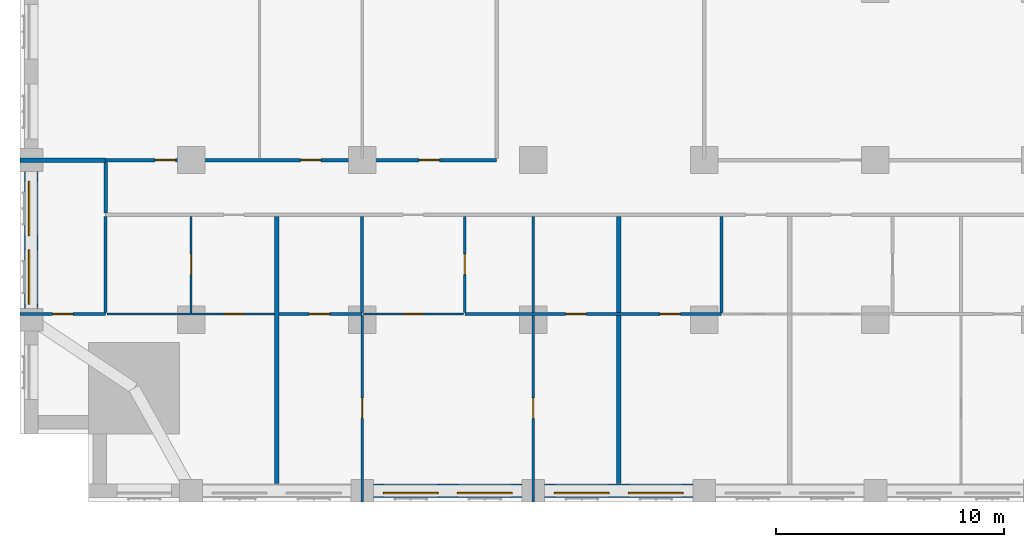
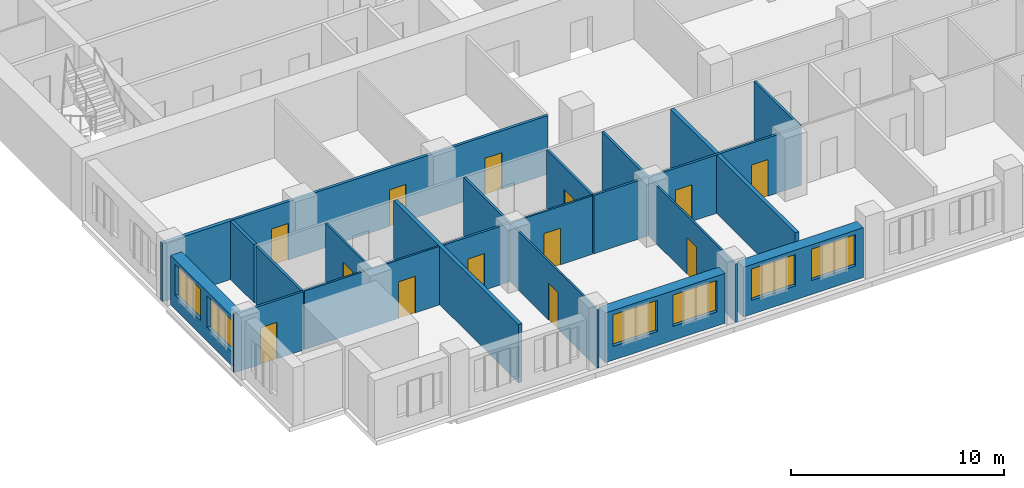
# One storey, part 4 of 14: 21 walls, 13 doors, 6 windows, 19 openings.
"""IFC4 building model written with IfcOpenShell, lengths in metres."""

from ifc_helpers import new_model, si_unit, direction, frame, frame_2d, origin, place, context, subcontext, project, spatial, rectangle, extrude, material, layer, layer_set, type_object, element, fill, save


model = new_model("IFC4")

# Units and contexts
model_context = context("Model", 3, precision=1e-05, world=origin(), true_north=direction((0.0, 1.0)))
body_context = subcontext(model_context, "Body", "Model", "MODEL_VIEW")
ifc_project = project(units=[si_unit("LENGTHUNIT", "METRE"), si_unit("AREAUNIT", "SQUARE_METRE"), si_unit("VOLUMEUNIT", "CUBIC_METRE"), si_unit("PLANEANGLEUNIT", "RADIAN"), si_unit("MASSUNIT", "GRAM", prefix="KILO")], contexts=[model_context])

# Site, building, storey
site_placement = place(None, origin())
site = spatial("IfcSite", under=ifc_project, at=site_placement, CompositionType="ELEMENT")
building_placement = place(site_placement, origin())
building = spatial("IfcBuilding", under=site, at=building_placement, Name="Tamorin Gate", CompositionType="ELEMENT")
storey_placement = place(building_placement, frame((0.0, 0.0, 41.199951171875)))
storey = spatial("IfcBuildingStorey", under=building, at=storey_placement, Name="L08", CompositionType="ELEMENT", Elevation=41.199951171875)

# Wall, openings, windows
ifc_material_1 = material(Name="Precast concrete C40/50", Category="concrete")
ifc_layer_1 = layer(ifc_material_1, 0.60009765625)
ifc_layer_set_1 = layer_set([ifc_layer_1], Name="Precast concrete C40/50")
wall_type_1 = type_object("IfcWallType", Name="Board-marked concrete facade panel 600", PredefinedType="SOLIDWALL", material=ifc_layer_set_1)
wall_1_placement = place(storey_placement, frame((45.5, 38.0, 0.0), z_axis=(0.0, 0.0, 1.0), x_axis=(1.0, 0.0, 0.0)))
wall_1 = element("IfcWall", 1, at=wall_1_placement, inside=storey, type_object=wall_type_1, Name="Facade panel", PredefinedType="SOLIDWALL", context=body_context, shape_type="SweptSolid", body=[
    extrude(rectangle(XDim=6.5, YDim=0.60009765625, at=frame_2d((3.25, 0.0))), origin(), (0.0, 0.0, 1.0), 2.85009765625),
])
opening_1_placement = place(wall_1_placement, frame((0.425048828125, 0.0, 0.800048828125)))
opening_1 = element("IfcOpeningElement", 2, at=opening_1_placement, cuts=wall_1, Name="Opening WN1", PredefinedType="OPENING", context=body_context, shape_type="SweptSolid", body=[
    extrude(rectangle(XDim=2.39990234375, YDim=1.800048828125, at=frame_2d((1.199951171875, 0.89990234375))), frame((0.0, 0.31005859375, 0.0), z_axis=(0.0, -1.0, 0.0), x_axis=(1.0, 0.0, 0.0)), (0.0, 0.0, 1.0), 0.6201171875),
])
opening_2_placement = place(wall_1_placement, frame((3.675048828125, 0.0, 0.800048828125)))
opening_2 = element("IfcOpeningElement", 3, at=opening_2_placement, cuts=wall_1, Name="Opening WN1", PredefinedType="OPENING", context=body_context, shape_type="SweptSolid", body=[
    extrude(rectangle(XDim=2.39990234375, YDim=1.800048828125, at=frame_2d((1.199951171875, 0.89990234375))), frame((0.0, 0.31005859375, 0.0), z_axis=(0.0, -1.0, 0.0), x_axis=(1.0, 0.0, 0.0)), (0.0, 0.0, 1.0), 0.6201171875),
])
ifc_material_2 = material(Name="Clear glass in aluminium frame", Category="aluminium")
window_type = type_object("IfcWindowType", Name="Deep-set window 2400x1800", PartitioningType="SINGLE_PANEL", PredefinedType="WINDOW", material=ifc_material_2)
window_1_placement = place(opening_1_placement, origin())
window_1 = element("IfcWindow", 4, at=window_1_placement, inside=storey, type_object=window_type, Name="Deep-set window", OverallHeight=1.800048828125, OverallWidth=2.39990234375, PartitioningType="SINGLE_PANEL", PredefinedType="WINDOW", context=body_context, shape_type="SweptSolid", body=[
    extrude(rectangle(XDim=2.39990234375, YDim=1.800048828125, at=frame_2d((1.199951171875, 0.89990234375))), frame((0.0, -0.070068359375, 0.0), z_axis=(0.0, -1.0, 0.0), x_axis=(1.0, 0.0, 0.0)), (0.0, 0.0, 1.0), 0.06005859375),
])
fill(opening_1, window_1)
window_2_placement = place(opening_2_placement, origin())
window_2 = element("IfcWindow", 5, at=window_2_placement, inside=storey, type_object=window_type, Name="Deep-set window", OverallHeight=1.800048828125, OverallWidth=2.39990234375, PartitioningType="SINGLE_PANEL", PredefinedType="WINDOW", context=body_context, shape_type="SweptSolid", body=[
    extrude(rectangle(XDim=2.39990234375, YDim=1.800048828125, at=frame_2d((1.199951171875, 0.89990234375))), frame((0.0, -0.070068359375, 0.0), z_axis=(0.0, -1.0, 0.0), x_axis=(1.0, 0.0, 0.0)), (0.0, 0.0, 1.0), 0.06005859375),
])
fill(opening_2, window_2)

wall_2_placement = place(storey_placement, frame((53.0, 38.0, 0.0), z_axis=(0.0, 0.0, 1.0), x_axis=(1.0, 0.0, 0.0)))
wall_2 = element("IfcWall", 6, at=wall_2_placement, inside=storey, type_object=wall_type_1, Name="Facade panel", PredefinedType="SOLIDWALL", context=body_context, shape_type="SweptSolid", body=[
    extrude(rectangle(XDim=6.5, YDim=0.60009765625, at=frame_2d((3.25, 0.0))), origin(), (0.0, 0.0, 1.0), 2.85009765625),
])
opening_3_placement = place(wall_2_placement, frame((0.425048828125, 0.0, 0.800048828125)))
opening_3 = element("IfcOpeningElement", 7, at=opening_3_placement, cuts=wall_2, Name="Opening WN1", PredefinedType="OPENING", context=body_context, shape_type="SweptSolid", body=[
    extrude(rectangle(XDim=2.39990234375, YDim=1.800048828125, at=frame_2d((1.199951171875, 0.89990234375))), frame((0.0, 0.31005859375, 0.0), z_axis=(0.0, -1.0, 0.0), x_axis=(1.0, 0.0, 0.0)), (0.0, 0.0, 1.0), 0.6201171875),
])
opening_4_placement = place(wall_2_placement, frame((3.675048828125, 0.0, 0.800048828125)))
opening_4 = element("IfcOpeningElement", 8, at=opening_4_placement, cuts=wall_2, Name="Opening WN1", PredefinedType="OPENING", context=body_context, shape_type="SweptSolid", body=[
    extrude(rectangle(XDim=2.39990234375, YDim=1.800048828125, at=frame_2d((1.199951171875, 0.89990234375))), frame((0.0, 0.31005859375, 0.0), z_axis=(0.0, -1.0, 0.0), x_axis=(1.0, 0.0, 0.0)), (0.0, 0.0, 1.0), 0.6201171875),
])
window_3_placement = place(opening_3_placement, origin())
window_3 = element("IfcWindow", 9, at=window_3_placement, inside=storey, type_object=window_type, Name="Deep-set window", OverallHeight=1.800048828125, OverallWidth=2.39990234375, PartitioningType="SINGLE_PANEL", PredefinedType="WINDOW", context=body_context, shape_type="SweptSolid", body=[
    extrude(rectangle(XDim=2.39990234375, YDim=1.800048828125, at=frame_2d((1.199951171875, 0.89990234375))), frame((0.0, -0.070068359375, 0.0), z_axis=(0.0, -1.0, 0.0), x_axis=(1.0, 0.0, 0.0)), (0.0, 0.0, 1.0), 0.06005859375),
])
fill(opening_3, window_3)
window_4_placement = place(opening_4_placement, origin())
window_4 = element("IfcWindow", 10, at=window_4_placement, inside=storey, type_object=window_type, Name="Deep-set window", OverallHeight=1.800048828125, OverallWidth=2.39990234375, PartitioningType="SINGLE_PANEL", PredefinedType="WINDOW", context=body_context, shape_type="SweptSolid", body=[
    extrude(rectangle(XDim=2.39990234375, YDim=1.800048828125, at=frame_2d((1.199951171875, 0.89990234375))), frame((0.0, -0.070068359375, 0.0), z_axis=(0.0, -1.0, 0.0), x_axis=(1.0, 0.0, 0.0)), (0.0, 0.0, 1.0), 0.06005859375),
])
fill(opening_4, window_4)

wall_3_placement = place(storey_placement, frame((30.5, 52.0, 0.0), z_axis=(0.0, 0.0, 1.0), x_axis=(0.0, -1.0, 0.0)))
wall_3 = element("IfcWall", 11, at=wall_3_placement, inside=storey, type_object=wall_type_1, Name="Facade panel", PredefinedType="SOLIDWALL", context=body_context, shape_type="SweptSolid", body=[
    extrude(rectangle(XDim=6.0, YDim=0.60009765625, at=frame_2d((3.0, 0.0))), origin(), (0.0, 0.0, 1.0), 2.85009765625),
])
opening_5_placement = place(wall_3_placement, frame((3.425048828125, 0.0, 0.800048828125)))
opening_5 = element("IfcOpeningElement", 12, at=opening_5_placement, cuts=wall_3, Name="Opening WN1", PredefinedType="OPENING", context=body_context, shape_type="SweptSolid", body=[
    extrude(rectangle(XDim=2.39990234375, YDim=1.800048828125, at=frame_2d((1.199951171875, 0.89990234375))), frame((0.0, 0.31005859375, 0.0), z_axis=(0.0, -1.0, 0.0), x_axis=(1.0, 0.0, 0.0)), (0.0, 0.0, 1.0), 0.6201171875),
])
opening_6_placement = place(wall_3_placement, frame((0.425048828125, 0.0, 0.800048828125)))
opening_6 = element("IfcOpeningElement", 13, at=opening_6_placement, cuts=wall_3, Name="Opening WN1", PredefinedType="OPENING", context=body_context, shape_type="SweptSolid", body=[
    extrude(rectangle(XDim=2.39990234375, YDim=1.800048828125, at=frame_2d((1.199951171875, 0.89990234375))), frame((0.0, 0.31005859375, 0.0), z_axis=(0.0, -1.0, 0.0), x_axis=(1.0, 0.0, 0.0)), (0.0, 0.0, 1.0), 0.6201171875),
])
window_5_placement = place(opening_5_placement, origin())
window_5 = element("IfcWindow", 14, at=window_5_placement, inside=storey, type_object=window_type, Name="Deep-set window", OverallHeight=1.800048828125, OverallWidth=2.39990234375, PartitioningType="SINGLE_PANEL", PredefinedType="WINDOW", context=body_context, shape_type="SweptSolid", body=[
    extrude(rectangle(XDim=2.39990234375, YDim=1.800048828125, at=frame_2d((1.199951171875, 0.89990234375))), frame((0.0, -0.070068359375, 0.0), z_axis=(0.0, -1.0, 0.0), x_axis=(1.0, 0.0, 0.0)), (0.0, 0.0, 1.0), 0.06005859375),
])
fill(opening_5, window_5)
window_6_placement = place(opening_6_placement, origin())
window_6 = element("IfcWindow", 15, at=window_6_placement, inside=storey, type_object=window_type, Name="Deep-set window", OverallHeight=1.800048828125, OverallWidth=2.39990234375, PartitioningType="SINGLE_PANEL", PredefinedType="WINDOW", context=body_context, shape_type="SweptSolid", body=[
    extrude(rectangle(XDim=2.39990234375, YDim=1.800048828125, at=frame_2d((1.199951171875, 0.89990234375))), frame((0.0, -0.070068359375, 0.0), z_axis=(0.0, -1.0, 0.0), x_axis=(1.0, 0.0, 0.0)), (0.0, 0.0, 1.0), 0.06005859375),
])
fill(opening_6, window_6)

# Wall, openings, doors
ifc_material_3 = material(Name="Gypsum board partition")
ifc_layer_2 = layer(ifc_material_3, 0.14990234375)
ifc_layer_set_2 = layer_set([ifc_layer_2], Name="Corridor wall 150")
wall_type_2 = type_object("IfcWallType", Name="Corridor wall 150", PredefinedType="PARTITIONING", material=ifc_layer_set_2)
wall_4_placement = place(storey_placement, frame((33.75, 52.5, 0.0), z_axis=(0.0, 0.0, 1.0), x_axis=(1.0, 0.0, 0.0)))
wall_4 = element("IfcWall", 16, at=wall_4_placement, inside=storey, type_object=wall_type_2, Name="Corridor wall 150", PredefinedType="PARTITIONING", context=body_context, shape_type="SweptSolid", body=[
    extrude(rectangle(XDim=17.14990234375, YDim=0.14990234375, at=frame_2d((8.574951171875, 0.0))), origin(), (0.0, 0.0, 1.0), 3.35009765625),
])
opening_7_placement = place(wall_4_placement, frame((2.175048828125, 0.0, 0.0)))
opening_7 = element("IfcOpeningElement", 17, at=opening_7_placement, cuts=wall_4, Name="Opening DH3073", PredefinedType="OPENING", context=body_context, shape_type="SweptSolid", body=[
    extrude(rectangle(XDim=0.89990234375, YDim=2.10009765625, at=frame_2d((0.449951171875, 1.050048828125))), frame((0.0, 0.0849609375, 0.0), z_axis=(0.0, -1.0, 0.0), x_axis=(1.0, 0.0, 0.0)), (0.0, 0.0, 1.0), 0.169921875),
])
opening_8_placement = place(wall_4_placement, frame((8.550048828125, 0.0, 0.0)))
opening_8 = element("IfcOpeningElement", 18, at=opening_8_placement, cuts=wall_4, Name="Opening DH3074", PredefinedType="OPENING", context=body_context, shape_type="SweptSolid", body=[
    extrude(rectangle(XDim=0.89990234375, YDim=2.10009765625, at=frame_2d((0.449951171875, 1.050048828125))), frame((0.0, 0.0849609375, 0.0), z_axis=(0.0, -1.0, 0.0), x_axis=(1.0, 0.0, 0.0)), (0.0, 0.0, 1.0), 0.169921875),
])
opening_9_placement = place(wall_4_placement, frame((13.75, 0.0, 0.0)))
opening_9 = element("IfcOpeningElement", 19, at=opening_9_placement, cuts=wall_4, Name="Opening DH3075", PredefinedType="OPENING", context=body_context, shape_type="SweptSolid", body=[
    extrude(rectangle(XDim=0.89990234375, YDim=2.10009765625, at=frame_2d((0.449951171875, 1.050048828125))), frame((0.0, 0.0849609375, 0.0), z_axis=(0.0, -1.0, 0.0), x_axis=(1.0, 0.0, 0.0)), (0.0, 0.0, 1.0), 0.169921875),
])
ifc_material_4 = material(Name="Timber door leaf", Category="wood")
door_type_1 = type_object("IfcDoorType", Name="Door 900 x 2100 FD30S", OperationType="NOTDEFINED", PredefinedType="DOOR", material=ifc_material_4)
door_1_placement = place(opening_7_placement, origin())
door_1 = element("IfcDoor", 20, at=door_1_placement, inside=storey, type_object=door_type_1, Name="Door DH3073", OperationType="SINGLE_SWING_LEFT", OverallHeight=2.10009765625, OverallWidth=0.89990234375, PredefinedType="DOOR", context=body_context, shape_type="SweptSolid", body=[
    extrude(rectangle(XDim=0.89990234375, YDim=2.10009765625, at=frame_2d((0.449951171875, 1.050048828125))), frame((0.0, 0.02490234375, 0.0), z_axis=(0.0, -1.0, 0.0), x_axis=(1.0, 0.0, 0.0)), (0.0, 0.0, 1.0), 0.050048828125),
])
fill(opening_7, door_1)
door_2_placement = place(opening_8_placement, origin())
door_2 = element("IfcDoor", 21, at=door_2_placement, inside=storey, type_object=door_type_1, Name="Door DH3074", OperationType="SINGLE_SWING_LEFT", OverallHeight=2.10009765625, OverallWidth=0.89990234375, PredefinedType="DOOR", context=body_context, shape_type="SweptSolid", body=[
    extrude(rectangle(XDim=0.89990234375, YDim=2.10009765625, at=frame_2d((0.449951171875, 1.050048828125))), frame((0.0, 0.02490234375, 0.0), z_axis=(0.0, -1.0, 0.0), x_axis=(1.0, 0.0, 0.0)), (0.0, 0.0, 1.0), 0.050048828125),
])
fill(opening_8, door_2)
door_3_placement = place(opening_9_placement, origin())
door_3 = element("IfcDoor", 22, at=door_3_placement, inside=storey, type_object=door_type_1, Name="Door DH3075", OperationType="SINGLE_SWING_LEFT", OverallHeight=2.10009765625, OverallWidth=0.89990234375, PredefinedType="DOOR", context=body_context, shape_type="SweptSolid", body=[
    extrude(rectangle(XDim=0.89990234375, YDim=2.10009765625, at=frame_2d((0.449951171875, 1.050048828125))), frame((0.0, 0.02490234375, 0.0), z_axis=(0.0, -1.0, 0.0), x_axis=(1.0, 0.0, 0.0)), (0.0, 0.0, 1.0), 0.050048828125),
])
fill(opening_9, door_3)

# Walls
wall_5_placement = place(storey_placement, frame((33.75, 50.175048828125, 0.0), z_axis=(0.0, 0.0, 1.0), x_axis=(0.0, 1.0, 0.0)))
element("IfcWall", 23, at=wall_5_placement, inside=storey, type_object=wall_type_2, Name="Corridor wall 150", PredefinedType="PARTITIONING", context=body_context, shape_type="SweptSolid", body=[
    extrude(rectangle(XDim=2.224853515625, YDim=0.14990234375, at=frame_2d((1.1123046875, 0.0))), origin(), (0.0, 0.0, 1.0), 3.35009765625),
])
ifc_layer_3 = layer(ifc_material_3, 0.199951171875)
ifc_layer_set_3 = layer_set([ifc_layer_3], Name="Demising wall 200")
wall_type_3 = type_object("IfcWallType", Name="Demising wall 200", PredefinedType="PARTITIONING", material=ifc_layer_set_3)
wall_6_placement = place(storey_placement, frame((30.0, 52.5, 0.0), z_axis=(0.0, 0.0, 1.0), x_axis=(1.0, 0.0, 0.0)))
element("IfcWall", 24, at=wall_6_placement, inside=storey, type_object=wall_type_3, Name="Demising wall 200", PredefinedType="PARTITIONING", context=body_context, shape_type="SweptSolid", body=[
    extrude(rectangle(XDim=3.75, YDim=0.199951171875, at=frame_2d((1.875, 0.0))), origin(), (0.0, 0.0, 1.0), 3.35009765625),
])
for number, where, z_axis, x_axis, name in (
    (25, (41.25, 38.31005859375, 0.0), (0.0, 0.0, 1.0), (0.0, 1.0, 0.0), "Demising wall 200"),
    (26, (56.25, 38.31005859375, 0.0), (0.0, 0.0, 1.0), (0.0, 1.0, 0.0), "Demising wall 200"),
):
    element("IfcWall", number, at=place(storey_placement, frame(where, z_axis=z_axis, x_axis=x_axis)), inside=storey, type_object=wall_type_3, Name=name, PredefinedType="PARTITIONING", context=body_context, shape_type="SweptSolid", body=[
        extrude(rectangle(XDim=11.71484375, YDim=0.199951171875, at=frame_2d((5.857421875, 0.0))), origin(), (0.0, 0.0, 1.0), 3.35009765625),
    ])

# Wall, opening, door
ifc_layer_4 = layer(ifc_material_3, 0.10009765625)
ifc_layer_set_4 = layer_set([ifc_layer_4], Name="Room partition 100")
wall_type_4 = type_object("IfcWallType", Name="Room partition 100", PredefinedType="PARTITIONING", material=ifc_layer_set_4)
wall_7_placement = place(storey_placement, frame((33.8125, 45.75, 0.0), z_axis=(0.0, 0.0, 1.0), x_axis=(1.0, 0.0, 0.0)))
wall_7 = element("IfcWall", 27, at=wall_7_placement, inside=storey, type_object=wall_type_4, Name="Room partition 100", PredefinedType="PARTITIONING", context=body_context, shape_type="SweptSolid", body=[
    extrude(rectangle(XDim=7.33740234375, YDim=0.10009765625, at=frame_2d((3.668701171875, 0.0))), origin(), (0.0, 0.0, 1.0), 3.35009765625),
])
opening_10_placement = place(wall_7_placement, frame((5.112548828125, 0.0, 0.0)))
opening_10 = element("IfcOpeningElement", 28, at=opening_10_placement, cuts=wall_7, Name="Opening DH3004", PredefinedType="OPENING", context=body_context, shape_type="SweptSolid", body=[
    extrude(rectangle(XDim=0.89990234375, YDim=2.10009765625, at=frame_2d((0.449951171875, 1.050048828125))), frame((0.0, 0.06005859375, 0.0), z_axis=(0.0, -1.0, 0.0), x_axis=(1.0, 0.0, 0.0)), (0.0, 0.0, 1.0), 0.1201171875),
])
door_type_2 = type_object("IfcDoorType", Name="Door 900 x 2100", OperationType="NOTDEFINED", PredefinedType="DOOR", material=ifc_material_4)
door_4_placement = place(opening_10_placement, origin())
door_4 = element("IfcDoor", 29, at=door_4_placement, inside=storey, type_object=door_type_2, Name="Door DH3004", OperationType="SINGLE_SWING_LEFT", OverallHeight=2.10009765625, OverallWidth=0.89990234375, PredefinedType="DOOR", context=body_context, shape_type="SweptSolid", body=[
    extrude(rectangle(XDim=0.89990234375, YDim=2.10009765625, at=frame_2d((0.449951171875, 1.050048828125))), frame((0.0, 0.02490234375, 0.0), z_axis=(0.0, -1.0, 0.0), x_axis=(1.0, 0.0, 0.0)), (0.0, 0.0, 1.0), 0.050048828125),
])
fill(opening_10, door_4)

wall_8_placement = place(storey_placement, frame((45.0625, 45.75, 0.0), z_axis=(0.0, 0.0, 1.0), x_axis=(1.0, 0.0, 0.0)))
wall_8 = element("IfcWall", 30, at=wall_8_placement, inside=storey, type_object=wall_type_4, Name="Room partition 100", PredefinedType="PARTITIONING", context=body_context, shape_type="SweptSolid", body=[
    extrude(rectangle(XDim=4.375, YDim=0.10009765625, at=frame_2d((2.1875, 0.0))), origin(), (0.0, 0.0, 1.0), 3.35009765625),
])
opening_11_placement = place(wall_8_placement, frame((1.737548828125, 0.0, 0.0)))
opening_11 = element("IfcOpeningElement", 31, at=opening_11_placement, cuts=wall_8, Name="Opening DH3007", PredefinedType="OPENING", context=body_context, shape_type="SweptSolid", body=[
    extrude(rectangle(XDim=0.89990234375, YDim=2.10009765625, at=frame_2d((0.449951171875, 1.050048828125))), frame((0.0, 0.06005859375, 0.0), z_axis=(0.0, -1.0, 0.0), x_axis=(1.0, 0.0, 0.0)), (0.0, 0.0, 1.0), 0.1201171875),
])
door_5_placement = place(opening_11_placement, origin())
door_5 = element("IfcDoor", 32, at=door_5_placement, inside=storey, type_object=door_type_2, Name="Door DH3007", OperationType="SINGLE_SWING_LEFT", OverallHeight=2.10009765625, OverallWidth=0.89990234375, PredefinedType="DOOR", context=body_context, shape_type="SweptSolid", body=[
    extrude(rectangle(XDim=0.89990234375, YDim=2.10009765625, at=frame_2d((0.449951171875, 1.050048828125))), frame((0.0, 0.02490234375, 0.0), z_axis=(0.0, -1.0, 0.0), x_axis=(1.0, 0.0, 0.0)), (0.0, 0.0, 1.0), 0.050048828125),
])
fill(opening_11, door_5)

wall_9_placement = place(storey_placement, frame((37.5, 45.800048828125, 0.0), z_axis=(0.0, 0.0, 1.0), x_axis=(0.0, 1.0, 0.0)))
wall_9 = element("IfcWall", 33, at=wall_9_placement, inside=storey, type_object=wall_type_4, Name="Room partition 100", PredefinedType="PARTITIONING", context=body_context, shape_type="SweptSolid", body=[
    extrude(rectangle(XDim=4.224853515625, YDim=0.10009765625, at=frame_2d((2.1123046875, 0.0))), origin(), (0.0, 0.0, 1.0), 3.35009765625),
])
opening_12_placement = place(wall_9_placement, frame((1.675048828125, 0.0, 0.0)))
opening_12 = element("IfcOpeningElement", 34, at=opening_12_placement, cuts=wall_9, Name="Opening DH3002", PredefinedType="OPENING", context=body_context, shape_type="SweptSolid", body=[
    extrude(rectangle(XDim=0.89990234375, YDim=2.10009765625, at=frame_2d((0.449951171875, 1.050048828125))), frame((0.0, 0.06005859375, 0.0), z_axis=(0.0, -1.0, 0.0), x_axis=(1.0, 0.0, 0.0)), (0.0, 0.0, 1.0), 0.1201171875),
])
door_6_placement = place(opening_12_placement, origin())
door_6 = element("IfcDoor", 35, at=door_6_placement, inside=storey, type_object=door_type_2, Name="Door DH3002", OperationType="SINGLE_SWING_RIGHT", OverallHeight=2.10009765625, OverallWidth=0.89990234375, PredefinedType="DOOR", context=body_context, shape_type="SweptSolid", body=[
    extrude(rectangle(XDim=0.89990234375, YDim=2.10009765625, at=frame_2d((0.449951171875, 1.050048828125))), frame((0.0, 0.02490234375, 0.0), z_axis=(0.0, -1.0, 0.0), x_axis=(1.0, 0.0, 0.0)), (0.0, 0.0, 1.0), 0.050048828125),
])
fill(opening_12, door_6)

wall_10_placement = place(storey_placement, frame((45.0, 37.5, 0.0), z_axis=(0.0, 0.0, 1.0), x_axis=(0.0, 1.0, 0.0)))
wall_10 = element("IfcWall", 36, at=wall_10_placement, inside=storey, type_object=wall_type_4, Name="Room partition 100", PredefinedType="PARTITIONING", context=body_context, shape_type="SweptSolid", body=[
    extrude(rectangle(XDim=8.1875, YDim=0.10009765625, at=frame_2d((4.09375, 0.0))), origin(), (0.0, 0.0, 1.0), 3.35009765625),
])
opening_13_placement = place(wall_10_placement, frame((3.675048828125, 0.0, 0.0)))
opening_13 = element("IfcOpeningElement", 37, at=opening_13_placement, cuts=wall_10, Name="Opening DH3010", PredefinedType="OPENING", context=body_context, shape_type="SweptSolid", body=[
    extrude(rectangle(XDim=0.89990234375, YDim=2.10009765625, at=frame_2d((0.449951171875, 1.050048828125))), frame((0.0, 0.06005859375, 0.0), z_axis=(0.0, -1.0, 0.0), x_axis=(1.0, 0.0, 0.0)), (0.0, 0.0, 1.0), 0.1201171875),
])
door_7_placement = place(opening_13_placement, origin())
door_7 = element("IfcDoor", 38, at=door_7_placement, inside=storey, type_object=door_type_2, Name="Door DH3010", OperationType="SINGLE_SWING_LEFT", OverallHeight=2.10009765625, OverallWidth=0.89990234375, PredefinedType="DOOR", context=body_context, shape_type="SweptSolid", body=[
    extrude(rectangle(XDim=0.89990234375, YDim=2.10009765625, at=frame_2d((0.449951171875, 1.050048828125))), frame((0.0, 0.02490234375, 0.0), z_axis=(0.0, -1.0, 0.0), x_axis=(1.0, 0.0, 0.0)), (0.0, 0.0, 1.0), 0.050048828125),
])
fill(opening_13, door_7)

wall_11_placement = place(storey_placement, frame((52.5, 37.5, 0.0), z_axis=(0.0, 0.0, 1.0), x_axis=(0.0, 1.0, 0.0)))
wall_11 = element("IfcWall", 39, at=wall_11_placement, inside=storey, type_object=wall_type_4, Name="Room partition 100", PredefinedType="PARTITIONING", context=body_context, shape_type="SweptSolid", body=[
    extrude(rectangle(XDim=8.1875, YDim=0.10009765625, at=frame_2d((4.09375, 0.0))), origin(), (0.0, 0.0, 1.0), 3.35009765625),
])
opening_14_placement = place(wall_11_placement, frame((3.675048828125, 0.0, 0.0)))
opening_14 = element("IfcOpeningElement", 40, at=opening_14_placement, cuts=wall_11, Name="Opening DH3011", PredefinedType="OPENING", context=body_context, shape_type="SweptSolid", body=[
    extrude(rectangle(XDim=0.89990234375, YDim=2.10009765625, at=frame_2d((0.449951171875, 1.050048828125))), frame((0.0, 0.06005859375, 0.0), z_axis=(0.0, -1.0, 0.0), x_axis=(1.0, 0.0, 0.0)), (0.0, 0.0, 1.0), 0.1201171875),
])
door_8_placement = place(opening_14_placement, origin())
door_8 = element("IfcDoor", 41, at=door_8_placement, inside=storey, type_object=door_type_2, Name="Door DH3011", OperationType="SINGLE_SWING_LEFT", OverallHeight=2.10009765625, OverallWidth=0.89990234375, PredefinedType="DOOR", context=body_context, shape_type="SweptSolid", body=[
    extrude(rectangle(XDim=0.89990234375, YDim=2.10009765625, at=frame_2d((0.449951171875, 1.050048828125))), frame((0.0, 0.02490234375, 0.0), z_axis=(0.0, -1.0, 0.0), x_axis=(1.0, 0.0, 0.0)), (0.0, 0.0, 1.0), 0.050048828125),
])
fill(opening_14, door_8)

ifc_layer_5 = layer(ifc_material_3, 0.125)
ifc_layer_set_5 = layer_set([ifc_layer_5], Name="Wet wall 125")
wall_type_5 = type_object("IfcWallType", Name="Wet wall 125", PredefinedType="PARTITIONING", material=ifc_layer_set_5)
wall_12_placement = place(storey_placement, frame((30.0, 45.75, 0.0), z_axis=(0.0, 0.0, 1.0), x_axis=(1.0, 0.0, 0.0)))
wall_12 = element("IfcWall", 42, at=wall_12_placement, inside=storey, type_object=wall_type_5, Name="Wet wall 125", PredefinedType="PARTITIONING", context=body_context, shape_type="SweptSolid", body=[
    extrude(rectangle(XDim=3.75, YDim=0.125, at=frame_2d((1.875, 0.0))), origin(), (0.0, 0.0, 1.0), 3.35009765625),
])
opening_15_placement = place(wall_12_placement, frame((1.425048828125, 0.0, 0.0)))
opening_15 = element("IfcOpeningElement", 43, at=opening_15_placement, cuts=wall_12, Name="Opening DH3001", PredefinedType="OPENING", context=body_context, shape_type="SweptSolid", body=[
    extrude(rectangle(XDim=0.89990234375, YDim=2.10009765625, at=frame_2d((0.449951171875, 1.050048828125))), frame((0.0, 0.072509765625, 0.0), z_axis=(0.0, -1.0, 0.0), x_axis=(1.0, 0.0, 0.0)), (0.0, 0.0, 1.0), 0.14501953125),
])
door_9_placement = place(opening_15_placement, origin())
door_9 = element("IfcDoor", 44, at=door_9_placement, inside=storey, type_object=door_type_2, Name="Door DH3001", OperationType="SINGLE_SWING_LEFT", OverallHeight=2.10009765625, OverallWidth=0.89990234375, PredefinedType="DOOR", context=body_context, shape_type="SweptSolid", body=[
    extrude(rectangle(XDim=0.89990234375, YDim=2.10009765625, at=frame_2d((0.449951171875, 1.050048828125))), frame((0.0, 0.02490234375, 0.0), z_axis=(0.0, -1.0, 0.0), x_axis=(1.0, 0.0, 0.0)), (0.0, 0.0, 1.0), 0.050048828125),
])
fill(opening_15, door_9)

wall_13_placement = place(storey_placement, frame((41.35009765625, 45.75, 0.0), z_axis=(0.0, 0.0, 1.0), x_axis=(1.0, 0.0, 0.0)))
wall_13 = element("IfcWall", 45, at=wall_13_placement, inside=storey, type_object=wall_type_5, Name="Wet wall 125", PredefinedType="PARTITIONING", context=body_context, shape_type="SweptSolid", body=[
    extrude(rectangle(XDim=3.64990234375, YDim=0.125, at=frame_2d((1.824951171875, 0.0))), origin(), (0.0, 0.0, 1.0), 3.35009765625),
])
opening_16_placement = place(wall_13_placement, frame((1.324951171875, 0.0, 0.0)))
opening_16 = element("IfcOpeningElement", 46, at=opening_16_placement, cuts=wall_13, Name="Opening DH3005", PredefinedType="OPENING", context=body_context, shape_type="SweptSolid", body=[
    extrude(rectangle(XDim=0.89990234375, YDim=2.10009765625, at=frame_2d((0.449951171875, 1.050048828125))), frame((0.0, 0.072509765625, 0.0), z_axis=(0.0, -1.0, 0.0), x_axis=(1.0, 0.0, 0.0)), (0.0, 0.0, 1.0), 0.14501953125),
])
door_10_placement = place(opening_16_placement, origin())
door_10 = element("IfcDoor", 47, at=door_10_placement, inside=storey, type_object=door_type_2, Name="Door DH3005", OperationType="SINGLE_SWING_LEFT", OverallHeight=2.10009765625, OverallWidth=0.89990234375, PredefinedType="DOOR", context=body_context, shape_type="SweptSolid", body=[
    extrude(rectangle(XDim=0.89990234375, YDim=2.10009765625, at=frame_2d((0.449951171875, 1.050048828125))), frame((0.0, 0.02490234375, 0.0), z_axis=(0.0, -1.0, 0.0), x_axis=(1.0, 0.0, 0.0)), (0.0, 0.0, 1.0), 0.050048828125),
])
fill(opening_16, door_10)

# Wall, openings, doors
wall_14_placement = place(storey_placement, frame((49.5, 45.75, 0.0), z_axis=(0.0, 0.0, 1.0), x_axis=(1.0, 0.0, 0.0)))
wall_14 = element("IfcWall", 48, at=wall_14_placement, inside=storey, type_object=wall_type_5, Name="Wet wall 125", PredefinedType="PARTITIONING", context=body_context, shape_type="SweptSolid", body=[
    extrude(rectangle(XDim=11.25, YDim=0.125, at=frame_2d((5.625, 0.0))), origin(), (0.0, 0.0, 1.0), 3.35009765625),
])
opening_17_placement = place(wall_14_placement, frame((4.425048828125, 0.0, 0.0)))
opening_17 = element("IfcOpeningElement", 49, at=opening_17_placement, cuts=wall_14, Name="Opening DH3009", PredefinedType="OPENING", context=body_context, shape_type="SweptSolid", body=[
    extrude(rectangle(XDim=0.89990234375, YDim=2.10009765625, at=frame_2d((0.449951171875, 1.050048828125))), frame((0.0, 0.072509765625, 0.0), z_axis=(0.0, -1.0, 0.0), x_axis=(1.0, 0.0, 0.0)), (0.0, 0.0, 1.0), 0.14501953125),
])
opening_18_placement = place(wall_14_placement, frame((8.550048828125, 0.0, 0.0)))
opening_18 = element("IfcOpeningElement", 50, at=opening_18_placement, cuts=wall_14, Name="Opening DH3012", PredefinedType="OPENING", context=body_context, shape_type="SweptSolid", body=[
    extrude(rectangle(XDim=0.89990234375, YDim=2.10009765625, at=frame_2d((0.449951171875, 1.050048828125))), frame((0.0, 0.072509765625, 0.0), z_axis=(0.0, -1.0, 0.0), x_axis=(1.0, 0.0, 0.0)), (0.0, 0.0, 1.0), 0.14501953125),
])
door_11_placement = place(opening_17_placement, origin())
door_11 = element("IfcDoor", 51, at=door_11_placement, inside=storey, type_object=door_type_2, Name="Door DH3009", OperationType="SINGLE_SWING_LEFT", OverallHeight=2.10009765625, OverallWidth=0.89990234375, PredefinedType="DOOR", context=body_context, shape_type="SweptSolid", body=[
    extrude(rectangle(XDim=0.89990234375, YDim=2.10009765625, at=frame_2d((0.449951171875, 1.050048828125))), frame((0.0, 0.02490234375, 0.0), z_axis=(0.0, -1.0, 0.0), x_axis=(1.0, 0.0, 0.0)), (0.0, 0.0, 1.0), 0.050048828125),
])
fill(opening_17, door_11)
door_12_placement = place(opening_18_placement, origin())
door_12 = element("IfcDoor", 52, at=door_12_placement, inside=storey, type_object=door_type_2, Name="Door DH3012", OperationType="SINGLE_SWING_LEFT", OverallHeight=2.10009765625, OverallWidth=0.89990234375, PredefinedType="DOOR", context=body_context, shape_type="SweptSolid", body=[
    extrude(rectangle(XDim=0.89990234375, YDim=2.10009765625, at=frame_2d((0.449951171875, 1.050048828125))), frame((0.0, 0.02490234375, 0.0), z_axis=(0.0, -1.0, 0.0), x_axis=(1.0, 0.0, 0.0)), (0.0, 0.0, 1.0), 0.050048828125),
])
fill(opening_18, door_12)

# Walls
for number, where, z_axis, x_axis, name in (
    (53, (33.75, 45.8125, 0.0), (0.0, 0.0, 1.0), (0.0, 1.0, 0.0), "Wet wall 125"),
    (54, (45.0, 45.8125, 0.0), (0.0, 0.0, 1.0), (0.0, 1.0, 0.0), "Wet wall 125"),
):
    element("IfcWall", number, at=place(storey_placement, frame(where, z_axis=z_axis, x_axis=x_axis)), inside=storey, type_object=wall_type_5, Name=name, PredefinedType="PARTITIONING", context=body_context, shape_type="SweptSolid", body=[
        extrude(rectangle(XDim=4.21240234375, YDim=0.125, at=frame_2d((2.106201171875, 0.0))), origin(), (0.0, 0.0, 1.0), 3.35009765625),
    ])

# Wall, opening, door
wall_15_placement = place(storey_placement, frame((49.5, 45.8125, 0.0), z_axis=(0.0, 0.0, 1.0), x_axis=(0.0, 1.0, 0.0)))
wall_15 = element("IfcWall", 55, at=wall_15_placement, inside=storey, type_object=wall_type_5, Name="Wet wall 125", PredefinedType="PARTITIONING", context=body_context, shape_type="SweptSolid", body=[
    extrude(rectangle(XDim=4.21240234375, YDim=0.125, at=frame_2d((2.106201171875, 0.0))), origin(), (0.0, 0.0, 1.0), 3.35009765625),
])
opening_19_placement = place(wall_15_placement, frame((1.66259765625, 0.0, 0.0)))
opening_19 = element("IfcOpeningElement", 56, at=opening_19_placement, cuts=wall_15, Name="Opening DH3008", PredefinedType="OPENING", context=body_context, shape_type="SweptSolid", body=[
    extrude(rectangle(XDim=0.89990234375, YDim=2.10009765625, at=frame_2d((0.449951171875, 1.050048828125))), frame((0.0, 0.072509765625, 0.0), z_axis=(0.0, -1.0, 0.0), x_axis=(1.0, 0.0, 0.0)), (0.0, 0.0, 1.0), 0.14501953125),
])
door_13_placement = place(opening_19_placement, origin())
door_13 = element("IfcDoor", 57, at=door_13_placement, inside=storey, type_object=door_type_2, Name="Door DH3008", OperationType="SINGLE_SWING_LEFT", OverallHeight=2.10009765625, OverallWidth=0.89990234375, PredefinedType="DOOR", context=body_context, shape_type="SweptSolid", body=[
    extrude(rectangle(XDim=0.89990234375, YDim=2.10009765625, at=frame_2d((0.449951171875, 1.050048828125))), frame((0.0, 0.02490234375, 0.0), z_axis=(0.0, -1.0, 0.0), x_axis=(1.0, 0.0, 0.0)), (0.0, 0.0, 1.0), 0.050048828125),
])
fill(opening_19, door_13)

# Walls
for number, where, z_axis, x_axis, name in (
    (58, (52.5, 45.8125, 0.0), (0.0, 0.0, 1.0), (0.0, 1.0, 0.0), "Wet wall 125"),
    (59, (60.75, 45.8125, 0.0), (0.0, 0.0, 1.0), (0.0, 1.0, 0.0), "Wet wall 125"),
):
    element("IfcWall", number, at=place(storey_placement, frame(where, z_axis=z_axis, x_axis=x_axis)), inside=storey, type_object=wall_type_5, Name=name, PredefinedType="PARTITIONING", context=body_context, shape_type="SweptSolid", body=[
        extrude(rectangle(XDim=4.21240234375, YDim=0.125, at=frame_2d((2.106201171875, 0.0))), origin(), (0.0, 0.0, 1.0), 3.35009765625),
    ])

save(model, "model.ifc")
